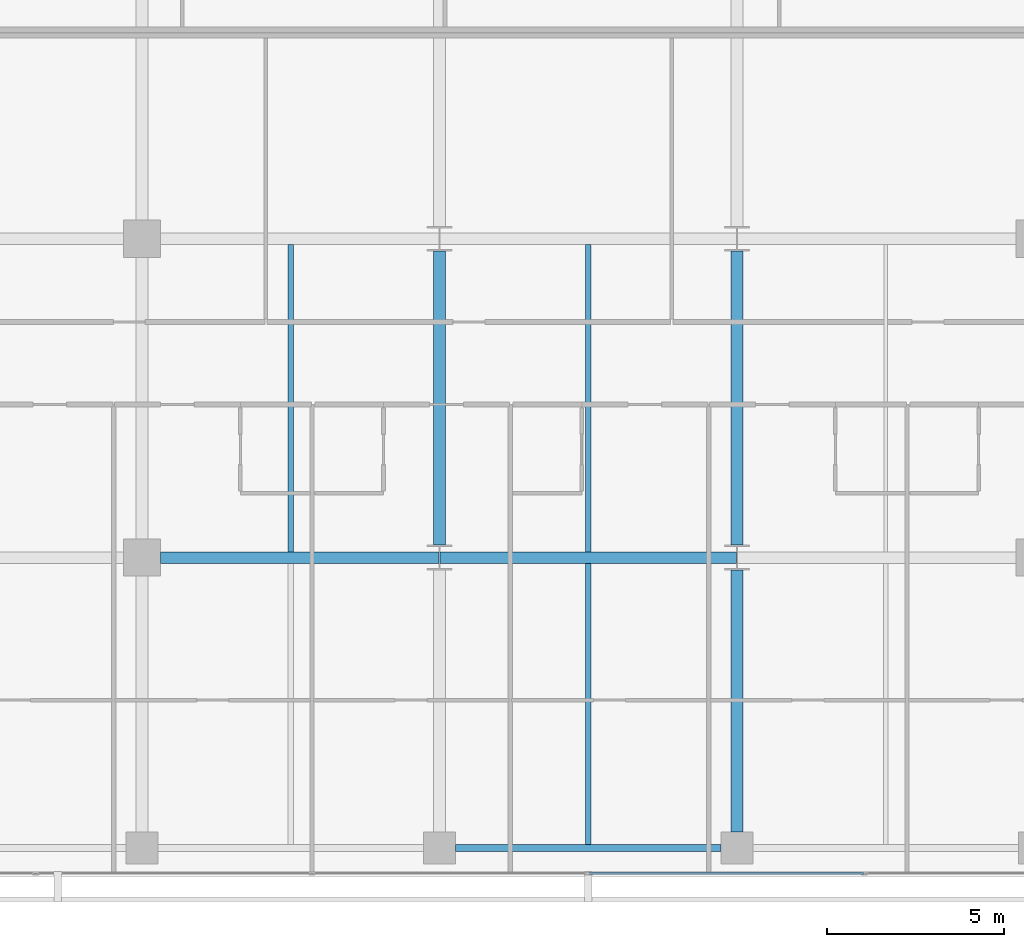
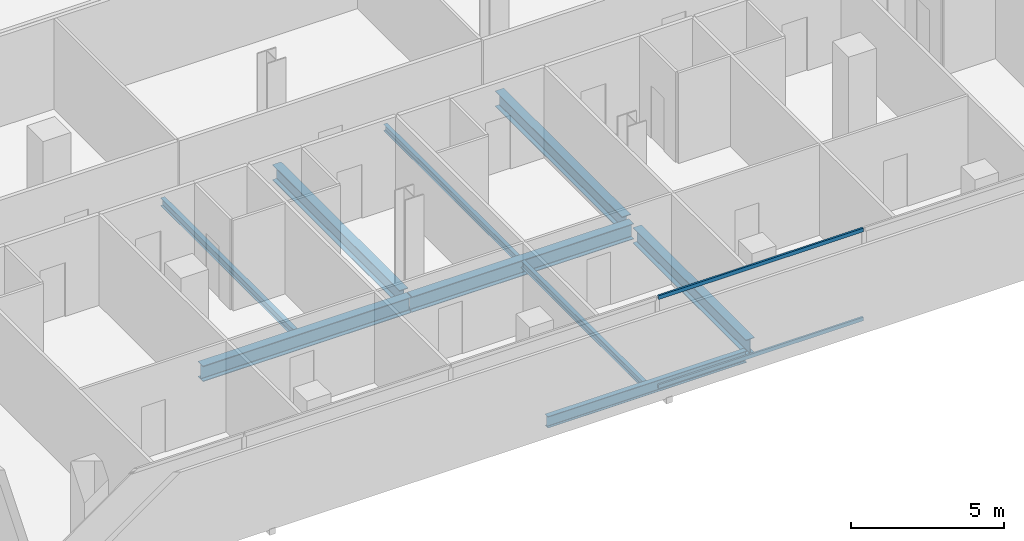
# One storey, part 9 of 41: 9 beams, 2 members, 1 element without a shape of its own.
"""IFC4 building model written with IfcOpenShell, lengths in metres."""

from ifc_helpers import new_model, si_unit, direction, frame, origin, origin_2d, place, context, subcontext, project, spatial, hollow_rectangle, i_section, extrude, material, layer, layer_set, material_profile, profile_set, type_object, element, aggregate, save


model = new_model("IFC4")

# Units and contexts
model_context = context("Model", 3, precision=1e-05, world=origin(), true_north=direction((0.0, 1.0)))
body_context = subcontext(model_context, "Body", "Model", "MODEL_VIEW")
ifc_project = project(units=[si_unit("LENGTHUNIT", "METRE"), si_unit("AREAUNIT", "SQUARE_METRE"), si_unit("VOLUMEUNIT", "CUBIC_METRE"), si_unit("PLANEANGLEUNIT", "RADIAN"), si_unit("MASSUNIT", "GRAM", prefix="KILO")], contexts=[model_context])

# Site, building, storey
site_placement = place(None, origin())
site = spatial("IfcSite", under=ifc_project, at=site_placement, CompositionType="ELEMENT")
building_placement = place(site_placement, origin())
building = spatial("IfcBuilding", under=site, at=building_placement, Name="Maruvema Waterfront Hotel and Observation Tower", CompositionType="ELEMENT")
storey_placement = place(building_placement, frame((0.0, 0.0, 61.60009765625)))
storey = spatial("IfcBuildingStorey", under=building, at=storey_placement, Name="L14", CompositionType="ELEMENT", Elevation=61.60009765625)

# Curtain wall, members
ifc_material_1 = material(Name="Anodised bronze aluminium and solar-control low-E IGU", Category="aluminium")
ifc_layer = layer(ifc_material_1, 0.159912109375, Name="Zone 1 Bronze Inner Thermal Curtain Wall System CW-02")
ifc_layer_set = layer_set([ifc_layer], Name="Anodised bronze aluminium and solar-control low-E IGU")
curtain_wall_type = type_object("IfcCurtainWallType", Name="Zone 1 Bronze Inner Thermal Curtain Wall System CW-02", PredefinedType="USERDEFINED", material=ifc_layer_set)
curtain_wall_placement = place(storey_placement, origin())
curtain_wall = element("IfcCurtainWall", 1, at=curtain_wall_placement, inside=storey, type_object=curtain_wall_type, Name="L14 Curtain Wall CW-L14-S", ObjectType="UNITISED CURTAIN WALL", PredefinedType="USERDEFINED")
ifc_material_2 = material(Name="Anodised architectural bronze aluminium", Category="aluminium")
ifc_material_profile_1 = material_profile(ifc_material_2, hollow_rectangle(XDim=0.070068359375, YDim=0.14990234375, WallThickness=0.00390625, at=origin_2d()), Name="ALU-T70x150")
ifc_profile_set_1 = profile_set([ifc_material_profile_1], Name="Anodised architectural bronze aluminium")
member_type = type_object("IfcMemberType", Name="Curtain Wall Horizontal Transom ALU-T70x150", PredefinedType="USERDEFINED", material=ifc_profile_set_1)
member_1_placement = place(storey_placement, frame((37.830078125, 0.080078125, 0.02978515625), z_axis=(1.0, 0.0, 0.0), x_axis=(0.0, 1.0, 0.0)))
member_1 = element("IfcMember", 2, at=member_1_placement, type_object=member_type, Name="CW-02 transom 4.1", ObjectType="TRANSOM", PredefinedType="USERDEFINED", context=body_context, shape_type="SweptSolid", body=[
    extrude(hollow_rectangle(XDim=0.070068359375, YDim=0.14990234375, WallThickness=0.00390625, at=origin_2d()), origin(), (0.0, 0.0, 1.0), 7.739990234375),
])
member_2_placement = place(storey_placement, frame((37.830078125, 0.080078125, 3.579833984375), z_axis=(1.0, 0.0, 0.0), x_axis=(0.0, 1.0, 0.0)))
member_2 = element("IfcMember", 3, at=member_2_placement, type_object=member_type, Name="CW-02 transom 4.2", ObjectType="TRANSOM", PredefinedType="USERDEFINED", context=body_context, shape_type="SweptSolid", body=[
    extrude(hollow_rectangle(XDim=0.070068359375, YDim=0.14990234375, WallThickness=0.00390625, at=origin_2d()), origin(), (0.0, 0.0, 1.0), 7.739990234375),
])
aggregate(curtain_wall, [member_1, member_2])

# Beams
ifc_material_3 = material(Name="Steel ASTM A572 Grade 50", Category="steel")
ifc_material_profile_2 = material_profile(ifc_material_3, i_section(OverallWidth=0.18994140625, OverallDepth=0.45703125, WebThickness=0.009033203125, FlangeThickness=0.014404296875, FilletRadius=0.014892578125, at=origin_2d()), Name="W460x74.0")
ifc_profile_set_2 = profile_set([ifc_material_profile_2], Name="Steel ASTM A572 Grade 50")
beam_type_1 = type_object("IfcBeamType", Name="Perimeter Spandrel Beam W460x74.0", PredefinedType="SPANDREL", material=ifc_profile_set_2)
beam_1_placement = place(storey_placement, frame((34.050048828125, 0.800048828125, -0.468505859375), z_axis=(1.0, 0.0, 0.0), x_axis=(0.0, 1.0, 0.0)))
element("IfcBeam", 4, at=beam_1_placement, inside=storey, type_object=beam_type_1, Name="L14 Floor Girder EW-03", PredefinedType="SPANDREL", context=body_context, shape_type="SweptSolid", body=[
    extrude(i_section(OverallWidth=0.18994140625, OverallDepth=0.45703125, WebThickness=0.009033203125, FlangeThickness=0.014404296875, FilletRadius=0.014892578125, at=origin_2d()), origin(), (0.0, 0.0, 1.0), 7.5),
])
ifc_material_4 = material(Name="Steel ASTM A572 Grade 50", Category="steel")
ifc_material_profile_3 = material_profile(ifc_material_4, i_section(OverallWidth=0.326904296875, OverallDepth=0.6220703125, WebThickness=0.015380859375, FlangeThickness=0.0244140625, FilletRadius=0.01806640625, at=origin_2d()), Name="W610x195.0")
ifc_profile_set_3 = profile_set([ifc_material_profile_3], Name="Steel ASTM A572 Grade 50")
beam_type_2 = type_object("IfcBeamType", Name="Primary Floor Girder W610x195.0", PredefinedType="BEAM", material=ifc_profile_set_3)
beam_2_placement = place(storey_placement, frame((25.72509765625, 9.0, -0.551025390625), z_axis=(1.0, 0.0, 0.0), x_axis=(0.0, 1.0, 0.0)))
element("IfcBeam", 5, at=beam_2_placement, inside=storey, type_object=beam_type_2, Name="L14 Floor Girder EW-08", PredefinedType="BEAM", context=body_context, shape_type="SweptSolid", body=[
    extrude(i_section(OverallWidth=0.326904296875, OverallDepth=0.6220703125, WebThickness=0.015380859375, FlangeThickness=0.0244140625, FilletRadius=0.01806640625, at=origin_2d()), origin(), (0.0, 0.0, 1.0), 7.86083984375),
])
beam_3_placement = place(storey_placement, frame((33.614013671875, 9.0, -0.551025390625), z_axis=(1.0, 0.0, 0.0), x_axis=(0.0, 1.0, 0.0)))
element("IfcBeam", 6, at=beam_3_placement, inside=storey, type_object=beam_type_2, Name="L14 Floor Girder EW-09", PredefinedType="BEAM", context=body_context, shape_type="SweptSolid", body=[
    extrude(i_section(OverallWidth=0.326904296875, OverallDepth=0.6220703125, WebThickness=0.015380859375, FlangeThickness=0.0244140625, FilletRadius=0.01806640625, at=origin_2d()), origin(), (0.0, 0.0, 1.0), 8.3720703125),
])
beam_4_placement = place(storey_placement, frame((33.60009765625, 9.35009765625, -0.551025390625), z_axis=(0.0, 1.0, 0.0), x_axis=(-1.0, 0.0, 0.0)))
element("IfcBeam", 7, at=beam_4_placement, inside=storey, type_object=beam_type_2, Name="L14 Floor Girder NS-17", PredefinedType="BEAM", context=body_context, shape_type="SweptSolid", body=[
    extrude(i_section(OverallWidth=0.326904296875, OverallDepth=0.6220703125, WebThickness=0.015380859375, FlangeThickness=0.0244140625, FilletRadius=0.01806640625, at=origin_2d()), origin(), (0.0, 0.0, 1.0), 8.2998046875),
])
beam_5_placement = place(storey_placement, frame((42.0, 1.25, -0.551025390625), z_axis=(0.0, 1.0, 0.0), x_axis=(-1.0, 0.0, 0.0)))
element("IfcBeam", 8, at=beam_5_placement, inside=storey, type_object=beam_type_2, Name="L14 Floor Girder NS-19", PredefinedType="BEAM", context=body_context, shape_type="SweptSolid", body=[
    extrude(i_section(OverallWidth=0.326904296875, OverallDepth=0.6220703125, WebThickness=0.015380859375, FlangeThickness=0.0244140625, FilletRadius=0.01806640625, at=origin_2d()), origin(), (0.0, 0.0, 1.0), 7.39990234375),
])
beam_6_placement = place(storey_placement, frame((42.0, 9.35009765625, -0.551025390625), z_axis=(0.0, 1.0, 0.0), x_axis=(-1.0, 0.0, 0.0)))
element("IfcBeam", 9, at=beam_6_placement, inside=storey, type_object=beam_type_2, Name="L14 Floor Girder NS-20", PredefinedType="BEAM", context=body_context, shape_type="SweptSolid", body=[
    extrude(i_section(OverallWidth=0.326904296875, OverallDepth=0.6220703125, WebThickness=0.015380859375, FlangeThickness=0.0244140625, FilletRadius=0.01806640625, at=origin_2d()), origin(), (0.0, 0.0, 1.0), 8.2998046875),
])
ifc_material_5 = material(Name="Steel ASTM A572 Grade 50", Category="steel")
ifc_material_profile_4 = material_profile(ifc_material_5, i_section(OverallWidth=0.14599609375, OverallDepth=0.258056640625, WebThickness=0.006103515625, FlangeThickness=0.009033203125, FilletRadius=0.012939453125, at=origin_2d()), Name="W250x32.7")
ifc_profile_set_4 = profile_set([ifc_material_profile_4], Name="Steel ASTM A572 Grade 50")
beam_type_3 = type_object("IfcBeamType", Name="Secondary Floor Joist W250x32.7", PredefinedType="JOIST", material=ifc_profile_set_4)
beam_7_placement = place(storey_placement, frame((37.800048828125, 9.16357421875, -0.369140625), z_axis=(0.0, 1.0, 0.0), x_axis=(-1.0, 0.0, 0.0)))
element("IfcBeam", 10, at=beam_7_placement, inside=storey, type_object=beam_type_3, Name="L14 Secondary Floor Joist JS-13", PredefinedType="JOIST", context=body_context, shape_type="SweptSolid", body=[
    extrude(i_section(OverallWidth=0.14599609375, OverallDepth=0.258056640625, WebThickness=0.006103515625, FlangeThickness=0.009033203125, FilletRadius=0.012939453125, at=origin_2d()), origin(), (0.0, 0.0, 1.0), 8.6728515625),
])
ifc_material_6 = material(Name="Steel ASTM A572 Grade 50", Category="steel")
ifc_material_profile_5 = material_profile(ifc_material_6, i_section(OverallWidth=0.14794921875, OverallDepth=0.26611328125, WebThickness=0.007568359375, FlangeThickness=0.012939453125, FilletRadius=0.012939453125, at=origin_2d()), Name="W250x44.8")
ifc_profile_set_5 = profile_set([ifc_material_profile_5], Name="Steel ASTM A572 Grade 50")
beam_type_4 = type_object("IfcBeamType", Name="Secondary Floor Joist W250x44.8", PredefinedType="JOIST", material=ifc_profile_set_5)
beam_8_placement = place(storey_placement, frame((37.800048828125, 0.89501953125, -0.373046875), z_axis=(0.0, 1.0, 0.0), x_axis=(-1.0, 0.0, 0.0)))
element("IfcBeam", 11, at=beam_8_placement, inside=storey, type_object=beam_type_4, Name="L14 Secondary Floor Joist JS-12", PredefinedType="JOIST", context=body_context, shape_type="SweptSolid", body=[
    extrude(i_section(OverallWidth=0.14794921875, OverallDepth=0.26611328125, WebThickness=0.007568359375, FlangeThickness=0.012939453125, FilletRadius=0.012939453125, at=origin_2d()), origin(), (0.0, 0.0, 1.0), 7.94140625),
])
ifc_material_7 = material(Name="Steel ASTM A572 Grade 50", Category="steel")
ifc_material_profile_6 = material_profile(ifc_material_7, i_section(OverallWidth=0.1650390625, OverallDepth=0.31005859375, WebThickness=0.005859375, FlangeThickness=0.009765625, FilletRadius=0.012939453125, at=origin_2d()), Name="W310x38.7")
ifc_profile_set_6 = profile_set([ifc_material_profile_6], Name="Steel ASTM A572 Grade 50")
beam_type_5 = type_object("IfcBeamType", Name="Secondary Floor Joist W310x38.7", PredefinedType="JOIST", material=ifc_profile_set_6)
beam_9_placement = place(storey_placement, frame((29.39990234375, 9.16357421875, -0.39501953125), z_axis=(0.0, 1.0, 0.0), x_axis=(-1.0, 0.0, 0.0)))
element("IfcBeam", 12, at=beam_9_placement, inside=storey, type_object=beam_type_5, Name="L14 Secondary Floor Joist JS-11", PredefinedType="JOIST", context=body_context, shape_type="SweptSolid", body=[
    extrude(i_section(OverallWidth=0.1650390625, OverallDepth=0.31005859375, WebThickness=0.005859375, FlangeThickness=0.009765625, FilletRadius=0.012939453125, at=origin_2d()), origin(), (0.0, 0.0, 1.0), 8.6728515625),
])

save(model, "model.ifc")
